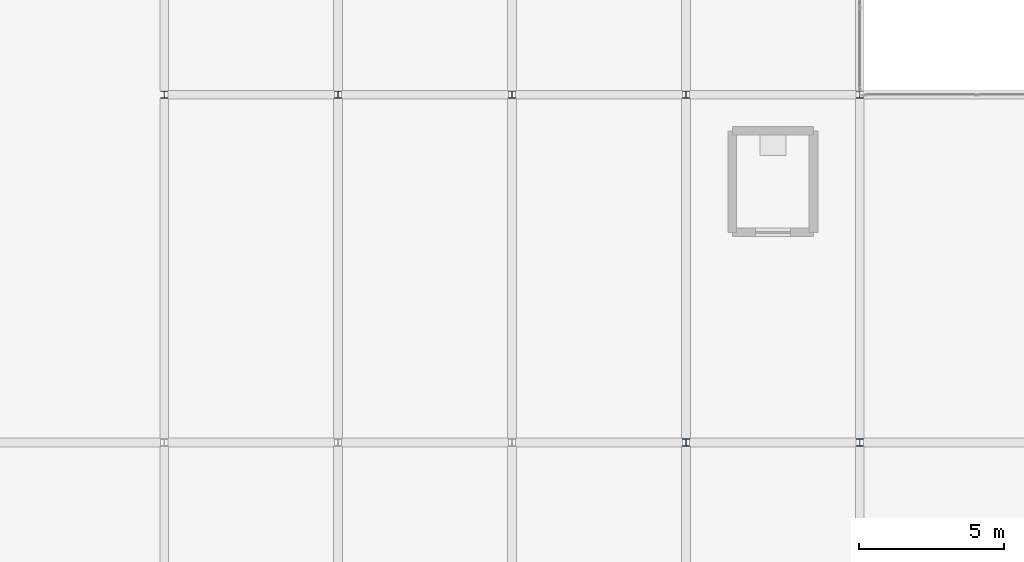
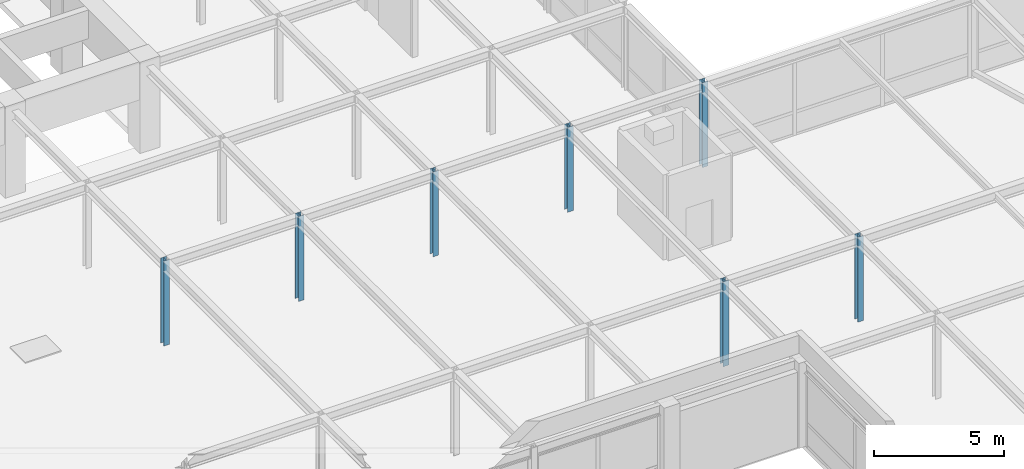
# One storey, part 9 of 111: 7 columns.
"""IFC4 building model written with IfcOpenShell, lengths in metres."""

from ifc_helpers import new_model, si_unit, direction, frame, origin, origin_2d, place, context, subcontext, project, spatial, i_section, extrude, material, material_profile, profile_set, type_object, element, save


model = new_model("IFC4")

# Units and contexts
model_context = context("Model", 3, precision=1e-05, world=origin(), true_north=direction((0.0, 1.0)))
body_context = subcontext(model_context, "Body", "Model", "MODEL_VIEW")
ifc_project = project(units=[si_unit("LENGTHUNIT", "METRE"), si_unit("AREAUNIT", "SQUARE_METRE"), si_unit("VOLUMEUNIT", "CUBIC_METRE"), si_unit("PLANEANGLEUNIT", "RADIAN"), si_unit("MASSUNIT", "GRAM", prefix="KILO")], contexts=[model_context])

# Site, building, storey
site_placement = place(None, origin())
site = spatial("IfcSite", under=ifc_project, at=site_placement, CompositionType="ELEMENT")
building_placement = place(site_placement, origin())
building = spatial("IfcBuilding", under=site, at=building_placement, Name="Zlatovratsky Civic Hall", CompositionType="ELEMENT")
storey_placement = place(building_placement, frame((0.0, 0.0, 16.5)))
storey = spatial("IfcBuildingStorey", under=building, at=storey_placement, Name="L04", CompositionType="ELEMENT", Elevation=16.5)

# Columns
ifc_material = material(Name="Steel S355", Category="steel")
ifc_material_profile = material_profile(ifc_material, i_section(OverallWidth=0.25, OverallDepth=0.25, WebThickness=0.009033203125, FlangeThickness=0.013916015625, FilletRadius=0.01611328125, at=origin_2d()), Name="25K2")
ifc_profile_set = profile_set([ifc_material_profile], Name="Steel S355")
column_type = type_object("IfcColumnType", Name="Col_Steel_25K2", PredefinedType="COLUMN", material=ifc_profile_set)
for number, where, z_axis, x_axis, name in (
    (1, (114.0, 18.0, 0.0), (0.0, 0.0, 1.0), (1.0, 0.0, 0.0), "CL-1604"),
    (2, (120.0, 18.0, 0.0), (0.0, 0.0, 1.0), (1.0, 0.0, 0.0), "CL-1605"),
    (3, (96.0, 30.0, 0.0), (0.0, 0.0, 1.0), (1.0, 0.0, 0.0), "CL-1621"),
    (4, (102.0, 30.0, 0.0), (0.0, 0.0, 1.0), (1.0, 0.0, 0.0), "CL-1622"),
    (5, (108.0, 30.0, 0.0), (0.0, 0.0, 1.0), (1.0, 0.0, 0.0), "CL-1623"),
    (6, (114.0, 30.0, 0.0), (0.0, 0.0, 1.0), (1.0, 0.0, 0.0), "CL-1624"),
    (7, (120.0, 30.0, 0.0), (0.0, 0.0, 1.0), (1.0, 0.0, 0.0), "CL-1625"),
):
    element("IfcColumn", number, at=place(storey_placement, frame(where, z_axis=z_axis, x_axis=x_axis)), inside=storey, type_object=column_type, Name=name, PredefinedType="COLUMN", context=body_context, shape_type="SweptSolid", body=[
        extrude(i_section(OverallWidth=0.25, OverallDepth=0.25, WebThickness=0.009033203125, FlangeThickness=0.013916015625, FilletRadius=0.01611328125, at=origin_2d()), origin(), (0.0, 0.0, 1.0), 4.0),
    ])

save(model, "model.ifc")
